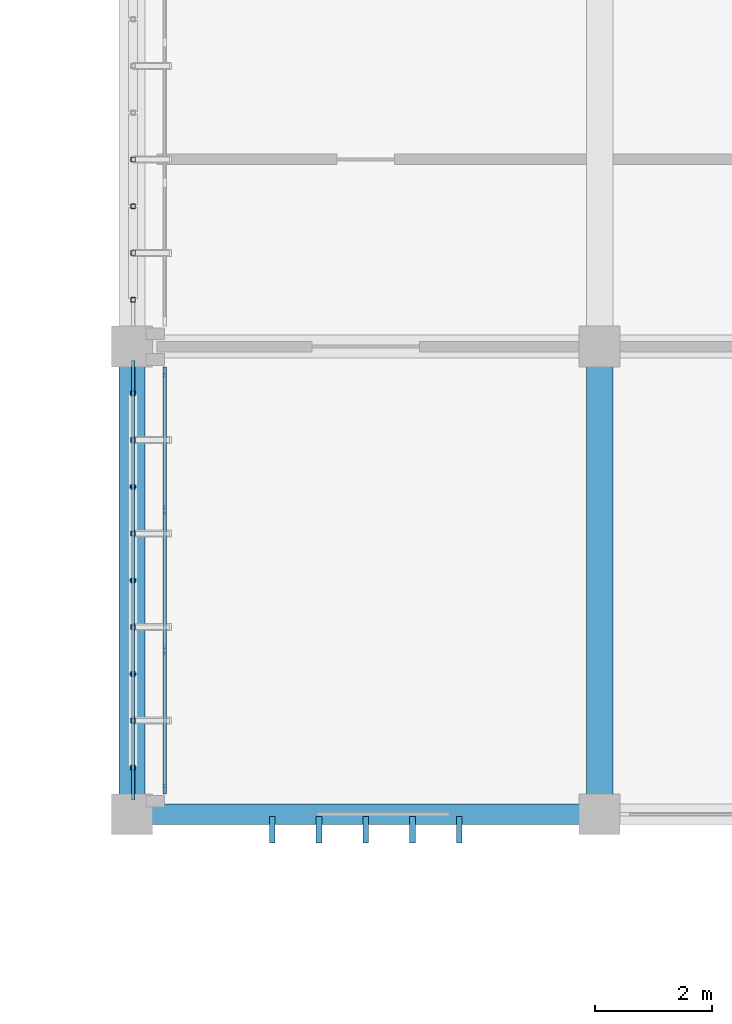
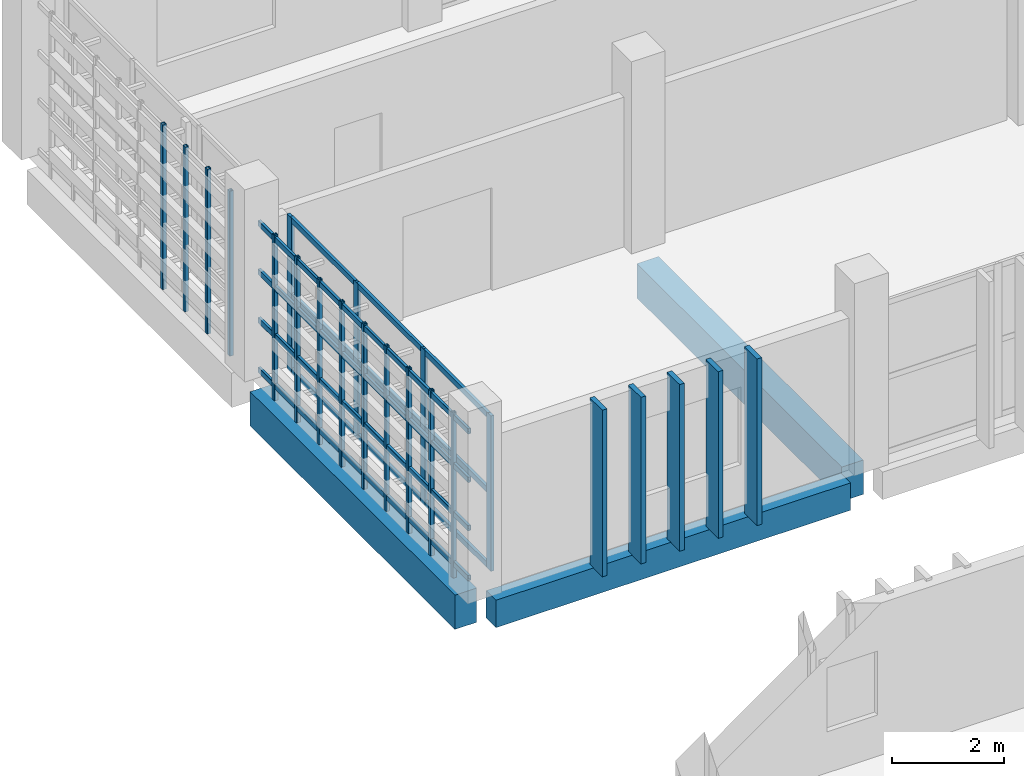
# One storey, part 31 of 137: 35 members, 3 beams, 1 element without a shape of its own.
"""IFC4 building model written with IfcOpenShell, lengths in metres."""

from ifc_helpers import new_model, si_unit, direction, frame, origin, origin_2d, place, context, subcontext, project, spatial, rectangle, hollow_rectangle, extrude, material, layer, layer_set, material_profile, profile_set, type_object, element, aggregate, save


model = new_model("IFC4")

# Units and contexts
model_context = context("Model", 3, precision=1e-05, world=origin(), true_north=direction((0.0, 1.0)))
body_context = subcontext(model_context, "Body", "Model", "MODEL_VIEW")
ifc_project = project(units=[si_unit("LENGTHUNIT", "METRE"), si_unit("AREAUNIT", "SQUARE_METRE"), si_unit("VOLUMEUNIT", "CUBIC_METRE"), si_unit("PLANEANGLEUNIT", "RADIAN"), si_unit("MASSUNIT", "GRAM", prefix="KILO")], contexts=[model_context])

# Site, building, storey
site_placement = place(None, origin())
site = spatial("IfcSite", under=ifc_project, at=site_placement, CompositionType="ELEMENT")
building_placement = place(site_placement, origin())
building = spatial("IfcBuilding", under=site, at=building_placement, Name="Jelvoka-Kovrelna Polytechnic", CompositionType="ELEMENT")
storey_placement = place(building_placement, frame((0.0, 0.0, 9.60009765625)))
storey = spatial("IfcBuildingStorey", under=building, at=storey_placement, Name="L03", CompositionType="ELEMENT", Elevation=9.60009765625)

# Beams
ifc_material_1 = material(Name="Concrete C40/50", Category="concrete")
ifc_material_profile_1 = material_profile(ifc_material_1, rectangle(XDim=0.449951171875, YDim=0.75, at=origin_2d()), Name="RC 450x750")
ifc_profile_set_1 = profile_set([ifc_material_profile_1], Name="Concrete C40/50")
beam_type_1 = type_object("IfcBeamType", Name="Beam_RC_450x750", PredefinedType="BEAM", material=ifc_profile_set_1)
for number, where, z_axis, x_axis, name in (
    (1, (128.0, 32.330078125, -0.64013671875), (0.0, 1.0, 0.0), (-1.0, 0.0, 0.0), "L03 beam 0984"),
    (2, (136.0, 32.330078125, -0.64013671875), (0.0, 1.0, 0.0), (-1.0, 0.0, 0.0), "L03 beam 0986"),
):
    element("IfcBeam", number, at=place(storey_placement, frame(where, z_axis=z_axis, x_axis=x_axis)), inside=storey, type_object=beam_type_1, Name=name, PredefinedType="BEAM", context=body_context, shape_type="SweptSolid", body=[
        extrude(rectangle(XDim=0.449951171875, YDim=0.75, at=origin_2d()), origin(), (0.0, 0.0, 1.0), 7.33984375),
    ])

# Members
ifc_material_2 = material(Name="Precast concrete C40/50", Category="concrete")
ifc_material_profile_2 = material_profile(ifc_material_2, rectangle(XDim=0.10009765625, YDim=0.449951171875, at=origin_2d()), Name="PC 100x450")
ifc_profile_set_2 = profile_set([ifc_material_profile_2], Name="Precast concrete C40/50")
member_type_1 = type_object("IfcMemberType", Name="Louvre_Fin_100x450", PredefinedType="USERDEFINED", material=ifc_profile_set_2)
for number, where, z_axis, x_axis, name in (
    (3, (130.39990234375, 31.735107421875, -0.27001953125), (0.0, 0.0, 1.0), (1.0, 0.0, 0.0), "L03 B2E south vertical solar louvre fin 0936"),
    (4, (131.199951171875, 31.735107421875, -0.27001953125), (0.0, 0.0, 1.0), (1.0, 0.0, 0.0), "L03 B2E south vertical solar louvre fin 0937"),
    (5, (132.0, 31.735107421875, -0.27001953125), (0.0, 0.0, 1.0), (1.0, 0.0, 0.0), "L03 B2E south vertical solar louvre fin 0938"),
    (6, (132.800048828125, 31.735107421875, -0.27001953125), (0.0, 0.0, 1.0), (1.0, 0.0, 0.0), "L03 B2E south vertical solar louvre fin 0939"),
    (7, (133.60009765625, 31.735107421875, -0.27001953125), (0.0, 0.0, 1.0), (1.0, 0.0, 0.0), "L03 B2E south vertical solar louvre fin 0940"),
):
    element("IfcMember", number, at=place(storey_placement, frame(where, z_axis=z_axis, x_axis=x_axis)), inside=storey, type_object=member_type_1, Name=name, ObjectType="SUNSHADE", PredefinedType="USERDEFINED", context=body_context, shape_type="SweptSolid", body=[
        extrude(rectangle(XDim=0.10009765625, YDim=0.449951171875, at=origin_2d()), origin(), (0.0, 0.0, 1.0), 3.64501953125),
    ])
ifc_material_3 = material(Name="Structural steel S355J2H", Category="steel")
ifc_material_profile_3 = material_profile(ifc_material_3, hollow_rectangle(XDim=0.06005859375, YDim=0.1201171875, WallThickness=0.0048828125, InnerFilletRadius=0.0048828125, OuterFilletRadius=0.007568359375, at=origin_2d()), Name="120x60x5.0 RHS")
ifc_profile_set_3 = profile_set([ifc_material_profile_3], Name="Structural steel S355J2H")
member_type_2 = type_object("IfcMemberType", Name="Member_Strut_RHS120", PredefinedType="STRUT", material=ifc_profile_set_3)
for number, where, z_axis, x_axis, name in (
    (8, (128.02001953125, 32.239990234375, 0.079833984375), (0.0, 1.0, 0.0), (-1.0, 0.0, 0.0), "L03 terracotta screen horizontal strut 0378"),
    (9, (128.02001953125, 32.239990234375, 1.17138671875), (0.0, 1.0, 0.0), (-1.0, 0.0, 0.0), "L03 terracotta screen horizontal strut 0379"),
    (10, (128.02001953125, 32.239990234375, 2.230712890625), (0.0, 1.0, 0.0), (-1.0, 0.0, 0.0), "L03 terracotta screen horizontal strut 0380"),
    (11, (128.02001953125, 32.239990234375, 3.289794921875), (0.0, 1.0, 0.0), (-1.0, 0.0, 0.0), "L03 terracotta screen horizontal strut 0381"),
):
    element("IfcMember", number, at=place(storey_placement, frame(where, z_axis=z_axis, x_axis=x_axis)), inside=storey, type_object=member_type_2, Name=name, PredefinedType="STRUT", context=body_context, shape_type="SweptSolid", body=[
        extrude(hollow_rectangle(XDim=0.06005859375, YDim=0.1201171875, WallThickness=0.0048828125, InnerFilletRadius=0.0048828125, OuterFilletRadius=0.007568359375, at=origin_2d()), origin(), (0.0, 0.0, 1.0), 7.52001953125),
    ])
ifc_material_4 = material(Name="Structural steel S355J2H", Category="steel")
ifc_material_profile_4 = material_profile(ifc_material_4, hollow_rectangle(XDim=0.080078125, YDim=0.080078125, WallThickness=0.0048828125, InnerFilletRadius=0.0048828125, OuterFilletRadius=0.007568359375, at=origin_2d()), Name="80x80x5.0 SHS")
ifc_profile_set_4 = profile_set([ifc_material_profile_4], Name="Structural steel S355J2H")
member_type_3 = type_object("IfcMemberType", Name="Member_Strut_SHS80", PredefinedType="STRUT", material=ifc_profile_set_4)
for number, where, z_axis, x_axis, name in (
    (12, (128.02001953125, 32.800048828125, -0.22998046875), (0.0, 0.0, 1.0), (1.0, 0.0, 0.0), "L03 terracotta lattice vertical rib 0382"),
    (13, (128.02001953125, 33.60009765625, -0.22998046875), (0.0, 0.0, 1.0), (1.0, 0.0, 0.0), "L03 terracotta lattice vertical rib 0383"),
    (14, (128.02001953125, 34.39990234375, -0.22998046875), (0.0, 0.0, 1.0), (1.0, 0.0, 0.0), "L03 terracotta lattice vertical rib 0384"),
    (15, (128.02001953125, 35.199951171875, -0.22998046875), (0.0, 0.0, 1.0), (1.0, 0.0, 0.0), "L03 terracotta lattice vertical rib 0385"),
    (16, (128.02001953125, 36.0, -0.22998046875), (0.0, 0.0, 1.0), (1.0, 0.0, 0.0), "L03 terracotta lattice vertical rib 0386"),
    (17, (128.02001953125, 36.800048828125, -0.22998046875), (0.0, 0.0, 1.0), (1.0, 0.0, 0.0), "L03 terracotta lattice vertical rib 0387"),
    (18, (128.02001953125, 37.60009765625, -0.22998046875), (0.0, 0.0, 1.0), (1.0, 0.0, 0.0), "L03 terracotta lattice vertical rib 0388"),
    (19, (128.02001953125, 38.39990234375, -0.22998046875), (0.0, 0.0, 1.0), (1.0, 0.0, 0.0), "L03 terracotta lattice vertical rib 0389"),
    (20, (128.02001953125, 39.199951171875, -0.22998046875), (0.0, 0.0, 1.0), (1.0, 0.0, 0.0), "L03 terracotta lattice vertical rib 0390"),
    (21, (128.02001953125, 40.800048828125, -0.22998046875), (0.0, 0.0, 1.0), (1.0, 0.0, 0.0), "L03 terracotta lattice vertical rib 0395"),
    (22, (128.02001953125, 41.60009765625, -0.22998046875), (0.0, 0.0, 1.0), (1.0, 0.0, 0.0), "L03 terracotta lattice vertical rib 0396"),
    (23, (128.02001953125, 42.39990234375, -0.22998046875), (0.0, 0.0, 1.0), (1.0, 0.0, 0.0), "L03 terracotta lattice vertical rib 0397"),
    (24, (128.02001953125, 43.199951171875, -0.22998046875), (0.0, 0.0, 1.0), (1.0, 0.0, 0.0), "L03 terracotta lattice vertical rib 0398"),
):
    element("IfcMember", number, at=place(storey_placement, frame(where, z_axis=z_axis, x_axis=x_axis)), inside=storey, type_object=member_type_3, Name=name, PredefinedType="STRUT", context=body_context, shape_type="SweptSolid", body=[
        extrude(hollow_rectangle(XDim=0.080078125, YDim=0.080078125, WallThickness=0.0048828125, InnerFilletRadius=0.0048828125, OuterFilletRadius=0.007568359375, at=origin_2d()), origin(), (0.0, 0.0, 1.0), 3.60986328125),
    ])

# Curtain wall, members
ifc_material_5 = material(Name="Anodised aluminium 6063-T6", Category="aluminium")
ifc_layer = layer(ifc_material_5, 0.159912109375)
ifc_layer_set = layer_set([ifc_layer], Name="Anodised aluminium 6063-T6")
curtain_wall_type = type_object("IfcCurtainWallType", Name="CW_Recessed_A", PredefinedType="NOTDEFINED", material=ifc_layer_set)
curtain_wall_placement = place(storey_placement, origin())
curtain_wall = element("IfcCurtainWall", 25, at=curtain_wall_placement, inside=storey, type_object=curtain_wall_type, Name="L03 glazed curtain wall 058", PredefinedType="NOTDEFINED")
ifc_material_6 = material(Name="Anodised aluminium 6063-T6", Category="aluminium")
ifc_material_profile_5 = material_profile(ifc_material_6, rectangle(XDim=0.06005859375, YDim=0.159912109375, at=origin_2d()), Name="ALU 60x160")
ifc_profile_set_5 = profile_set([ifc_material_profile_5], Name="Anodised aluminium 6063-T6")
member_type_4 = type_object("IfcMemberType", Name="Mullion_M-01", PredefinedType="MULLION", material=ifc_profile_set_5)
member_1_placement = place(storey_placement, frame((128.56005859375, 32.429931640625, -0.02490234375), z_axis=(0.0, 0.0, 1.0), x_axis=(-1.0, 0.0, 0.0)))
member_1 = element("IfcMember", 26, at=member_1_placement, type_object=member_type_4, Name="CW-01 mullion 1", PredefinedType="MULLION", context=body_context, shape_type="SweptSolid", body=[
    extrude(rectangle(XDim=0.06005859375, YDim=0.159912109375, at=origin_2d()), origin(), (0.0, 0.0, 1.0), 3.39990234375),
])
member_2_placement = place(storey_placement, frame((128.56005859375, 34.800048828125, -0.02490234375), z_axis=(0.0, 0.0, 1.0), x_axis=(-1.0, 0.0, 0.0)))
member_2 = element("IfcMember", 27, at=member_2_placement, type_object=member_type_4, Name="CW-01 mullion 2", PredefinedType="MULLION", context=body_context, shape_type="SweptSolid", body=[
    extrude(rectangle(XDim=0.06005859375, YDim=0.159912109375, at=origin_2d()), origin(), (0.0, 0.0, 1.0), 3.39990234375),
])
member_3_placement = place(storey_placement, frame((128.56005859375, 37.199951171875, -0.02490234375), z_axis=(0.0, 0.0, 1.0), x_axis=(-1.0, 0.0, 0.0)))
member_3 = element("IfcMember", 28, at=member_3_placement, type_object=member_type_4, Name="CW-01 mullion 3", PredefinedType="MULLION", context=body_context, shape_type="SweptSolid", body=[
    extrude(rectangle(XDim=0.06005859375, YDim=0.159912109375, at=origin_2d()), origin(), (0.0, 0.0, 1.0), 3.39990234375),
])
member_4_placement = place(storey_placement, frame((128.56005859375, 39.570068359375, -0.02490234375), z_axis=(0.0, 0.0, 1.0), x_axis=(-1.0, 0.0, 0.0)))
member_4 = element("IfcMember", 29, at=member_4_placement, type_object=member_type_4, Name="CW-01 mullion 4", PredefinedType="MULLION", context=body_context, shape_type="SweptSolid", body=[
    extrude(rectangle(XDim=0.06005859375, YDim=0.159912109375, at=origin_2d()), origin(), (0.0, 0.0, 1.0), 3.39990234375),
])

# Beam
ifc_material_7 = material(Name="Concrete C40/50", Category="concrete")
ifc_material_profile_6 = material_profile(ifc_material_7, rectangle(XDim=0.35009765625, YDim=0.60009765625, at=origin_2d()), Name="RC 350x600")
ifc_profile_set_6 = profile_set([ifc_material_profile_6], Name="Concrete C40/50")
beam_type_2 = type_object("IfcBeamType", Name="Spandrel_RC_350x600", PredefinedType="SPANDREL", material=ifc_profile_set_6)
beam_placement = place(storey_placement, frame((128.330078125, 32.0, -0.565185546875), z_axis=(1.0, 0.0, 0.0), x_axis=(0.0, 1.0, 0.0)))
element("IfcBeam", 30, at=beam_placement, inside=storey, type_object=beam_type_2, Name="L03 beam 0963", PredefinedType="SPANDREL", context=body_context, shape_type="SweptSolid", body=[
    extrude(rectangle(XDim=0.35009765625, YDim=0.60009765625, at=origin_2d()), origin(), (0.0, 0.0, 1.0), 7.33984375),
])

# Member
ifc_material_8 = material(Name="Anodised aluminium 6063-T6", Category="aluminium")
ifc_material_profile_7 = material_profile(ifc_material_8, rectangle(XDim=0.06005859375, YDim=0.1201171875, at=origin_2d()), Name="ALU 60x120")
ifc_profile_set_7 = profile_set([ifc_material_profile_7], Name="Anodised aluminium 6063-T6")
member_type_5 = type_object("IfcMemberType", Name="Transom_T-01", PredefinedType="USERDEFINED", material=ifc_profile_set_7)
member_5_placement = place(storey_placement, frame((128.56005859375, 32.4599609375, 0.02978515625), z_axis=(0.0, 1.0, 0.0), x_axis=(-1.0, 0.0, 0.0)))
member_5 = element("IfcMember", 31, at=member_5_placement, type_object=member_type_5, Name="CW-01 transom 1.1", ObjectType="TRANSOM", PredefinedType="USERDEFINED", context=body_context, shape_type="SweptSolid", body=[
    extrude(rectangle(XDim=0.06005859375, YDim=0.1201171875, at=origin_2d()), origin(), (0.0, 0.0, 1.0), 2.31005859375),
])

member_6_placement = place(storey_placement, frame((128.56005859375, 32.4599609375, 1.6748046875), z_axis=(0.0, 1.0, 0.0), x_axis=(-1.0, 0.0, 0.0)))
member_6 = element("IfcMember", 32, at=member_6_placement, type_object=member_type_5, Name="CW-01 transom 1.2", ObjectType="TRANSOM", PredefinedType="USERDEFINED", context=body_context, shape_type="SweptSolid", body=[
    extrude(rectangle(XDim=0.06005859375, YDim=0.1201171875, at=origin_2d()), origin(), (0.0, 0.0, 1.0), 2.31005859375),
])

member_7_placement = place(storey_placement, frame((128.56005859375, 32.4599609375, 3.31982421875), z_axis=(0.0, 1.0, 0.0), x_axis=(-1.0, 0.0, 0.0)))
member_7 = element("IfcMember", 33, at=member_7_placement, type_object=member_type_5, Name="CW-01 transom 1.3", ObjectType="TRANSOM", PredefinedType="USERDEFINED", context=body_context, shape_type="SweptSolid", body=[
    extrude(rectangle(XDim=0.06005859375, YDim=0.1201171875, at=origin_2d()), origin(), (0.0, 0.0, 1.0), 2.31005859375),
])

member_8_placement = place(storey_placement, frame((128.56005859375, 34.830078125, 0.02978515625), z_axis=(0.0, 1.0, 0.0), x_axis=(-1.0, 0.0, 0.0)))
member_8 = element("IfcMember", 34, at=member_8_placement, type_object=member_type_5, Name="CW-01 transom 2.1", ObjectType="TRANSOM", PredefinedType="USERDEFINED", context=body_context, shape_type="SweptSolid", body=[
    extrude(rectangle(XDim=0.06005859375, YDim=0.1201171875, at=origin_2d()), origin(), (0.0, 0.0, 1.0), 2.33984375),
])

member_9_placement = place(storey_placement, frame((128.56005859375, 34.830078125, 1.6748046875), z_axis=(0.0, 1.0, 0.0), x_axis=(-1.0, 0.0, 0.0)))
member_9 = element("IfcMember", 35, at=member_9_placement, type_object=member_type_5, Name="CW-01 transom 2.2", ObjectType="TRANSOM", PredefinedType="USERDEFINED", context=body_context, shape_type="SweptSolid", body=[
    extrude(rectangle(XDim=0.06005859375, YDim=0.1201171875, at=origin_2d()), origin(), (0.0, 0.0, 1.0), 2.33984375),
])

member_10_placement = place(storey_placement, frame((128.56005859375, 34.830078125, 3.31982421875), z_axis=(0.0, 1.0, 0.0), x_axis=(-1.0, 0.0, 0.0)))
member_10 = element("IfcMember", 36, at=member_10_placement, type_object=member_type_5, Name="CW-01 transom 2.3", ObjectType="TRANSOM", PredefinedType="USERDEFINED", context=body_context, shape_type="SweptSolid", body=[
    extrude(rectangle(XDim=0.06005859375, YDim=0.1201171875, at=origin_2d()), origin(), (0.0, 0.0, 1.0), 2.33984375),
])

member_11_placement = place(storey_placement, frame((128.56005859375, 37.22998046875, 0.02978515625), z_axis=(0.0, 1.0, 0.0), x_axis=(-1.0, 0.0, 0.0)))
member_11 = element("IfcMember", 37, at=member_11_placement, type_object=member_type_5, Name="CW-01 transom 3.1", ObjectType="TRANSOM", PredefinedType="USERDEFINED", context=body_context, shape_type="SweptSolid", body=[
    extrude(rectangle(XDim=0.06005859375, YDim=0.1201171875, at=origin_2d()), origin(), (0.0, 0.0, 1.0), 2.31005859375),
])

member_12_placement = place(storey_placement, frame((128.56005859375, 37.22998046875, 1.6748046875), z_axis=(0.0, 1.0, 0.0), x_axis=(-1.0, 0.0, 0.0)))
member_12 = element("IfcMember", 38, at=member_12_placement, type_object=member_type_5, Name="CW-01 transom 3.2", ObjectType="TRANSOM", PredefinedType="USERDEFINED", context=body_context, shape_type="SweptSolid", body=[
    extrude(rectangle(XDim=0.06005859375, YDim=0.1201171875, at=origin_2d()), origin(), (0.0, 0.0, 1.0), 2.31005859375),
])

member_13_placement = place(storey_placement, frame((128.56005859375, 37.22998046875, 3.31982421875), z_axis=(0.0, 1.0, 0.0), x_axis=(-1.0, 0.0, 0.0)))
member_13 = element("IfcMember", 39, at=member_13_placement, type_object=member_type_5, Name="CW-01 transom 3.3", ObjectType="TRANSOM", PredefinedType="USERDEFINED", context=body_context, shape_type="SweptSolid", body=[
    extrude(rectangle(XDim=0.06005859375, YDim=0.1201171875, at=origin_2d()), origin(), (0.0, 0.0, 1.0), 2.31005859375),
])

aggregate(curtain_wall, [member_1, member_2, member_3, member_4, member_5, member_6, member_7, member_8, member_9, member_10, member_11, member_12, member_13])

save(model, "model.ifc")
